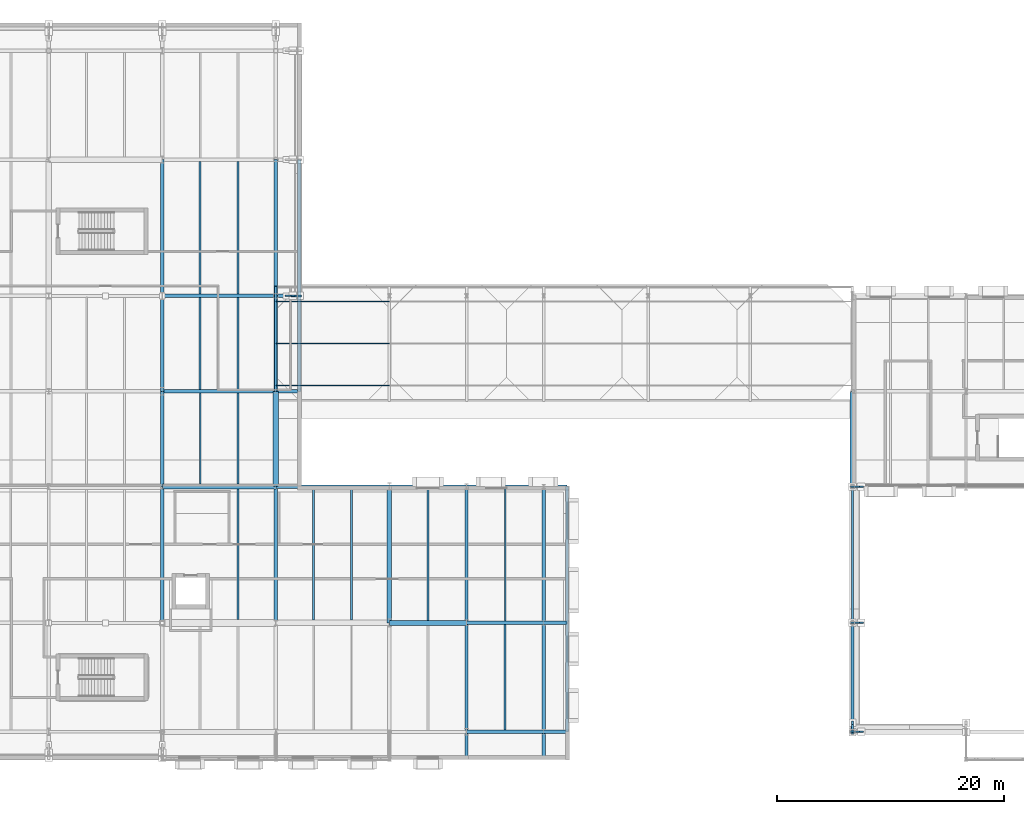
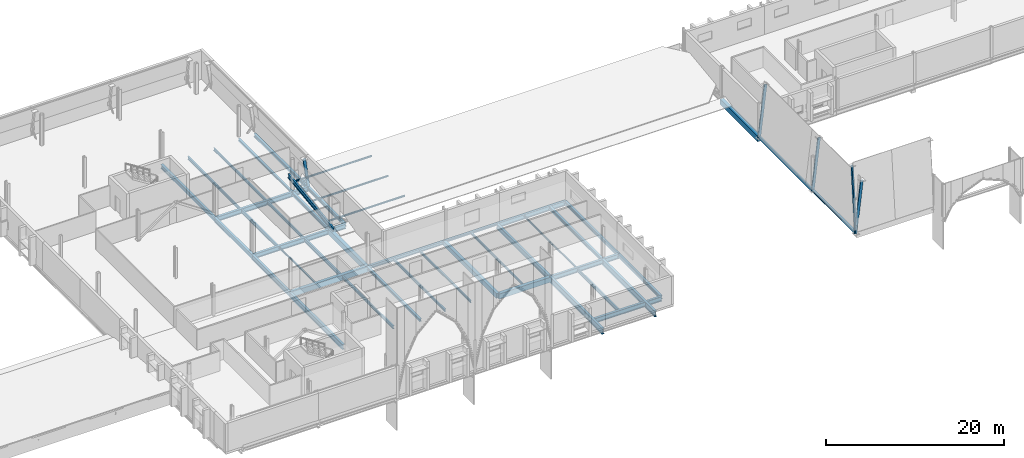
# One storey, part 37 of 90: 42 beams, 9 members.
"""IFC4 building model written with IfcOpenShell, lengths in metres."""

import ifcopenshell
import ifcopenshell.guid

model = None  # the IFC model being written
_history = None  # IfcOwnerHistory: only IFC2X3 demands one
_inside = {}  # id of a spatial element -> (the spatial element, [elements in it])
_under = {}  # id of a project, library or spatial element -> (it, [spatial elements below it])
_declared = {}  # id of a project -> (the project, [libraries it declares])
_typed = {}  # id of a type object -> (the type object, [elements of that type])
_made_of = {}  # id of a material, layer set ... -> (it, [elements and type objects made of it])


def new_model(schema):
    """Start an empty IFC model of exactly this schema.

    Asked for "IFC4X3", IfcOpenShell would pick the latest addendum, in which some entities
    have other attributes; the version numbers below select the first issue.
    IFC2X3 requires an IfcOwnerHistory on every rooted entity: one is made here for all.
    """
    global model, _history
    if schema == "IFC4X3":
        model = ifcopenshell.file(schema_version=(4, 3, 0, 0))
    else:
        model = ifcopenshell.file(schema=schema)
    _inside.clear()
    _under.clear()
    _declared.clear()
    _typed.clear()
    _made_of.clear()
    _history = None
    if model.schema == "IFC2X3":
        org = make("IfcOrganization", Name="unknown")
        user = make(
            "IfcPersonAndOrganization",
            ThePerson=make("IfcPerson", FamilyName="unknown"),
            TheOrganization=org,
        )
        app = make(
            "IfcApplication",
            ApplicationDeveloper=org,
            Version="unknown",
            ApplicationFullName="unknown",
            ApplicationIdentifier="unknown",
        )
        _history = make(
            "IfcOwnerHistory",
            OwningUser=user,
            OwningApplication=app,
            ChangeAction="ADDED",
            CreationDate=0,
        )
    return model


def make(cls, **values):
    """One entity of the class cls with the attributes given. An attribute that is None is left unset."""
    return model.create_entity(
        cls, **{name: value for name, value in values.items() if value is not None}
    )


def rooted(cls, **values):
    """An entity with a GlobalId (a new one), such as an element, a storey or a relation."""
    return make(cls, GlobalId=ifcopenshell.guid.new(), OwnerHistory=_history, **values)


def si_unit(unit_type, name, prefix=None):
    """IfcSIUnit, for example si_unit("LENGTHUNIT", "METRE", prefix="MILLI")."""
    return make("IfcSIUnit", UnitType=unit_type, Prefix=prefix, Name=name)


def assignment(units):
    """IfcUnitAssignment: the units of a project."""
    return None if units is None else make("IfcUnitAssignment", Units=units)


def point(xyz):
    """IfcCartesianPoint."""
    return None if xyz is None else make("IfcCartesianPoint", Coordinates=xyz)


def direction(xyz):
    """IfcDirection."""
    return None if xyz is None else make("IfcDirection", DirectionRatios=xyz)


def frame(location, z_axis=None, x_axis=None):
    """IfcAxis2Placement3D, a coordinate frame: its origin and axes. An axis left out is left unset."""
    return make(
        "IfcAxis2Placement3D",
        Location=point(location),
        Axis=direction(z_axis),
        RefDirection=direction(x_axis),
    )


def frame_2d(location, x_axis=None):
    """IfcAxis2Placement2D, a coordinate frame in the plane: its origin and x axis."""
    return make(
        "IfcAxis2Placement2D", Location=point(location), RefDirection=direction(x_axis)
    )


def origin():
    """The frame at (0, 0, 0) with its axes left unset."""
    return frame((0.0, 0.0, 0.0))


def origin_2d():
    """The frame at (0, 0) in the plane with its x axis left unset."""
    return frame_2d((0.0, 0.0))


def place(relative_to, where):
    """IfcLocalPlacement: puts the frame where relative to a parent placement (None: the world)."""
    return make(
        "IfcLocalPlacement", PlacementRelTo=relative_to, RelativePlacement=where
    )


def context(
    kind, dimensions, precision=None, world=None, true_north=None, identifier=None
):
    """IfcGeometricRepresentationContext, for example the 3D "Model" context."""
    return make(
        "IfcGeometricRepresentationContext",
        ContextIdentifier=identifier,
        ContextType=kind,
        CoordinateSpaceDimension=dimensions,
        Precision=precision,
        WorldCoordinateSystem=world,
        TrueNorth=true_north,
    )


def subcontext(parent, identifier, kind, view, scale=None):
    """IfcGeometricRepresentationSubContext, for example "Body" below "Model"."""
    return make(
        "IfcGeometricRepresentationSubContext",
        ContextIdentifier=identifier,
        ContextType=kind,
        ParentContext=parent,
        TargetScale=scale,
        TargetView=view,
    )


def project(units=None, contexts=None):
    """IfcProject with its units and contexts."""
    return rooted(
        "IfcProject",
        Name="project",
        RepresentationContexts=contexts,
        UnitsInContext=assignment(units),
    )


def spatial(cls, under=None, at=None, **own):
    """A site, building, storey or space (cls), placed at a placement, below another one or the project."""
    s = rooted(cls, ObjectPlacement=at, **own)
    if under is not None:
        _under.setdefault(under.id(), (under, []))[1].append(s)
    return s


def profile(cls, at=None, kind="AREA", **sizes):
    """A parametric profile (cls). Its sizes go by their IFC names, for example OverallWidth=200.0."""
    return make(cls, ProfileType=kind, Position=at, **sizes)


def rectangle(**sizes):
    """IfcRectangleProfileDef."""
    return profile("IfcRectangleProfileDef", **sizes)


def hollow_rectangle(**sizes):
    """IfcRectangleHollowProfileDef."""
    return profile("IfcRectangleHollowProfileDef", **sizes)


def i_section(**sizes):
    """IfcIShapeProfileDef."""
    return profile("IfcIShapeProfileDef", **sizes)


def extrude(swept, where, along, depth):
    """IfcExtrudedAreaSolid: the profile swept, set in the frame where, extruded along a direction by depth."""
    return make(
        "IfcExtrudedAreaSolid",
        SweptArea=swept,
        Position=where,
        ExtrudedDirection=direction(along),
        Depth=depth,
    )


def shape(context_of_items, identifier, shape_type, items):
    """IfcShapeRepresentation: the items that make up one representation, for example the "Body"."""
    return make(
        "IfcShapeRepresentation",
        ContextOfItems=context_of_items,
        RepresentationIdentifier=identifier,
        RepresentationType=shape_type,
        Items=items,
    )


def material(Name=None, Category=None):
    """IfcMaterial."""
    return make("IfcMaterial", Name=Name, Category=Category)


def material_profile(
    of_material, cross_section, Name=None, Category=None, Priority=None
):
    """IfcMaterialProfile: a cross section and its material."""
    return make(
        "IfcMaterialProfile",
        Name=Name,
        Material=of_material,
        Profile=cross_section,
        Priority=Priority,
        Category=Category,
    )


def profile_set(profiles, Name=None, composite=None):
    """IfcMaterialProfileSet."""
    return make(
        "IfcMaterialProfileSet",
        Name=Name,
        MaterialProfiles=profiles,
        CompositeProfile=composite,
    )


def made_of(thing, what):
    """Note that an element or type object is made of a material, layer set ...; save() writes the relation."""
    if what is not None:
        _made_of.setdefault(what.id(), (what, []))[1].append(thing)
    return thing


def type_object(cls, material=None, **own):
    """A type object (cls), such as IfcWallType, which elements share."""
    return made_of(rooted(cls, **own), material)


def element(
    cls,
    number,
    at=None,
    inside=None,
    cuts=None,
    type_object=None,
    material=None,
    context=None,
    identifier="Body",
    shape_type=None,
    held_by="IfcProductDefinitionShape",
    body=None,
    shapes=None,
    **own,
):
    """One element of the class cls, such as IfcWall. Its Tag is "e" and its number.

    at: its placement. inside: the storey or other place that contains it. cuts: it is an
    opening in that element (IfcRelVoidsElement). A single representation is given by context,
    identifier, shape_type and body (its items); several are given by shapes. held_by: the class
    of the entity that holds the representations. save() writes the other relations.
    """
    e = rooted(cls, Tag="e%d" % number, ObjectPlacement=at, **own)
    if body is not None:
        shapes = [shape(context, identifier, shape_type, body)]
    if shapes is not None:
        e.Representation = make(held_by, Representations=shapes)
    if inside is not None:
        _inside.setdefault(inside.id(), (inside, []))[1].append(e)
    if cuts is not None:
        rooted(
            "IfcRelVoidsElement", RelatingBuildingElement=cuts, RelatedOpeningElement=e
        )
    if type_object is not None:
        _typed.setdefault(type_object.id(), (type_object, []))[1].append(e)
    return made_of(e, material)


def aggregate(whole, parts):
    """IfcRelAggregates: a whole, such as a stair, and the parts it consists of."""
    return rooted("IfcRelAggregates", RelatingObject=whole, RelatedObjects=parts)


def save(model, path):
    """Write the relations noted so far, then the file.

    IfcRelAggregates (storeys below a building ...), IfcRelContainedInSpatialStructure (elements
    in a storey), IfcRelDefinesByType, IfcRelAssociatesMaterial and IfcRelDeclares: one each for
    every whole, place, type object, material and project.
    """
    for whole, parts in _under.values():
        aggregate(whole, parts)
    for where, things in _inside.values():
        rooted(
            "IfcRelContainedInSpatialStructure",
            RelatedElements=things,
            RelatingStructure=where,
        )
    for kind, things in _typed.values():
        rooted("IfcRelDefinesByType", RelatedObjects=things, RelatingType=kind)
    for what, things in _made_of.values():
        rooted("IfcRelAssociatesMaterial", RelatedObjects=things, RelatingMaterial=what)
    for by, libraries in _declared.values():
        rooted("IfcRelDeclares", RelatingContext=by, RelatedDefinitions=libraries)
    model.write(path)


model = new_model("IFC4")

# Units and contexts
model_context = context("Model", 3, precision=1e-05, world=origin(), true_north=direction((0.0, 1.0)))
body_context = subcontext(model_context, "Body", "Model", "MODEL_VIEW")
ifc_project = project(units=[si_unit("LENGTHUNIT", "METRE"), si_unit("AREAUNIT", "SQUARE_METRE"), si_unit("VOLUMEUNIT", "CUBIC_METRE"), si_unit("PLANEANGLEUNIT", "RADIAN"), si_unit("MASSUNIT", "GRAM", prefix="KILO")], contexts=[model_context])

# Site, building, storey
site_placement = place(None, origin())
site = spatial("IfcSite", under=ifc_project, at=site_placement, CompositionType="ELEMENT")
building_placement = place(site_placement, origin())
building = spatial("IfcBuilding", under=site, at=building_placement, Name="Zereglee Splitstone Museum", CompositionType="ELEMENT")
storey_placement = place(building_placement, frame((0.0, 0.0, 4.800048828125)))
storey = spatial("IfcBuildingStorey", under=building, at=storey_placement, Name="L01", CompositionType="ELEMENT", Elevation=4.800048828125)

# Beams
ifc_material_1 = material(Name="Concrete C40/50", Category="concrete")
ifc_material_profile_1 = material_profile(ifc_material_1, rectangle(XDim=0.39990234375, YDim=0.64990234375, at=origin_2d()), Name="RC 400x650")
ifc_profile_set_1 = profile_set([ifc_material_profile_1], Name="Concrete C40/50")
beam_type_1 = type_object("IfcBeamType", Name="BG-04", PredefinedType="BEAM", material=ifc_profile_set_1)
beam_1_placement = place(storey_placement, frame((215.199951171875, 9.60009765625, -0.625), z_axis=(0.0, 1.0, 0.0), x_axis=(-1.0, 0.0, 0.0)))
element("IfcBeam", 1, at=beam_1_placement, inside=storey, type_object=beam_type_1, Name="Primary Girder L01 24 (9.6-21.6)", PredefinedType="BEAM", context=body_context, shape_type="SweptSolid", body=[
    extrude(rectangle(XDim=0.39990234375, YDim=0.64990234375, at=origin_2d()), origin(), (0.0, 0.0, 1.0), 12.0),
])
ifc_material_profile_2 = material_profile(ifc_material_1, rectangle(XDim=0.449951171875, YDim=0.699951171875, at=origin_2d()), Name="RC 450x700")
ifc_profile_set_2 = profile_set([ifc_material_profile_2], Name="Concrete C40/50")
beam_type_2 = type_object("IfcBeamType", Name="BG-03", PredefinedType="BEAM", material=ifc_profile_set_2)
beam_2_placement = place(storey_placement, frame((215.199951171875, 9.60009765625, -0.650146484375), z_axis=(1.0, 0.0, 0.0), x_axis=(0.0, 1.0, 0.0)))
element("IfcBeam", 2, at=beam_2_placement, inside=storey, type_object=beam_type_2, Name="Primary Girder L01 B (215.2-222.0)", PredefinedType="BEAM", context=body_context, shape_type="SweptSolid", body=[
    extrude(rectangle(XDim=0.449951171875, YDim=0.699951171875, at=origin_2d()), origin(), (0.0, 0.0, 1.0), 6.800048828125),
])
beam_3_placement = place(storey_placement, frame((195.199951171875, 21.60009765625, -0.650146484375), z_axis=(1.0, 0.0, 0.0), x_axis=(0.0, 1.0, 0.0)))
element("IfcBeam", 3, at=beam_3_placement, inside=storey, type_object=beam_type_2, Name="Primary Girder L01 C (195.2-205.2)", PredefinedType="BEAM", context=body_context, shape_type="SweptSolid", body=[
    extrude(rectangle(XDim=0.449951171875, YDim=0.699951171875, at=origin_2d()), origin(), (0.0, 0.0, 1.0), 10.0),
])
ifc_material_2 = material(Name="Steel S355J2", Category="steel")
ifc_material_profile_3 = material_profile(ifc_material_2, i_section(OverallWidth=0.300048828125, OverallDepth=0.360107421875, WebThickness=0.012451171875, FlangeThickness=0.0224609375, FilletRadius=0.027099609375, at=origin_2d()), Name="HE 360 B")
ifc_profile_set_3 = profile_set([ifc_material_profile_3], Name="Steel S355J2")
beam_type_3 = type_object("IfcBeamType", Name="BG-14", PredefinedType="BEAM", material=ifc_profile_set_3)
beam_4_placement = place(storey_placement, frame((205.199951171875, 9.60009765625, -0.47998046875), z_axis=(0.0, 1.0, 0.0), x_axis=(-1.0, 0.0, 0.0)))
element("IfcBeam", 4, at=beam_4_placement, inside=storey, type_object=beam_type_3, Name="Primary Girder L01 23 (9.6-21.6)", PredefinedType="BEAM", context=body_context, shape_type="SweptSolid", body=[
    extrude(i_section(OverallWidth=0.300048828125, OverallDepth=0.360107421875, WebThickness=0.012451171875, FlangeThickness=0.0224609375, FilletRadius=0.027099609375, at=origin_2d()), origin(), (0.0, 0.0, 1.0), 12.0),
])
ifc_material_profile_4 = material_profile(ifc_material_2, i_section(OverallWidth=0.300048828125, OverallDepth=0.550048828125, WebThickness=0.014892578125, FlangeThickness=0.029052734375, FilletRadius=0.027099609375, at=origin_2d()), Name="HE 550 B")
ifc_profile_set_4 = profile_set([ifc_material_profile_4], Name="Steel S355J2")
beam_type_4 = type_object("IfcBeamType", Name="BG-11", PredefinedType="BEAM", material=ifc_profile_set_4)
beam_5_placement = place(storey_placement, frame((195.199951171875, 38.39990234375, -0.574951171875), z_axis=(0.0, 1.0, 0.0), x_axis=(-1.0, 0.0, 0.0)))
element("IfcBeam", 5, at=beam_5_placement, inside=storey, type_object=beam_type_4, Name="Primary Girder L01 22 (38.4-50.4)", PredefinedType="BEAM", context=body_context, shape_type="SweptSolid", body=[
    extrude(i_section(OverallWidth=0.300048828125, OverallDepth=0.550048828125, WebThickness=0.014892578125, FlangeThickness=0.029052734375, FilletRadius=0.027099609375, at=origin_2d()), origin(), (0.0, 0.0, 1.0), 12.0),
])
ifc_material_profile_5 = material_profile(ifc_material_2, i_section(OverallWidth=0.300048828125, OverallDepth=0.60009765625, WebThickness=0.015380859375, FlangeThickness=0.030029296875, FilletRadius=0.027099609375, at=origin_2d()), Name="HE 600 B")
ifc_profile_set_5 = profile_set([ifc_material_profile_5], Name="Steel S355J2")
beam_type_5 = type_object("IfcBeamType", Name="BG-10", PredefinedType="BEAM", material=ifc_profile_set_5)
beam_6_placement = place(storey_placement, frame((195.199951171875, 30.0, -0.60009765625), z_axis=(0.0, 1.0, 0.0), x_axis=(-1.0, 0.0, 0.0)))
element("IfcBeam", 6, at=beam_6_placement, inside=storey, type_object=beam_type_5, Name="Primary Girder L01 22 (30.0-38.4)", PredefinedType="BEAM", context=body_context, shape_type="SweptSolid", body=[
    extrude(i_section(OverallWidth=0.300048828125, OverallDepth=0.60009765625, WebThickness=0.015380859375, FlangeThickness=0.030029296875, FilletRadius=0.027099609375, at=origin_2d()), origin(), (0.0, 0.0, 1.0), 8.39990234375),
])
ifc_material_profile_6 = material_profile(ifc_material_2, i_section(OverallWidth=0.300048828125, OverallDepth=0.64990234375, WebThickness=0.01611328125, FlangeThickness=0.031005859375, FilletRadius=0.027099609375, at=origin_2d()), Name="HE 650 B")
ifc_profile_set_6 = profile_set([ifc_material_profile_6], Name="Steel S355J2")
beam_type_6 = type_object("IfcBeamType", Name="BG-09", PredefinedType="BEAM", material=ifc_profile_set_6)
for number, where, z_axis, x_axis, name in (
    (7, (222.0, 0.0, -0.625), (1.0, 0.0, 0.0), (0.0, 1.0, 0.0), "Primary Girder L01 A (222.0-230.8)"),
    (8, (222.0, 9.60009765625, -0.625), (1.0, 0.0, 0.0), (0.0, 1.0, 0.0), "Primary Girder L01 B (222.0-230.8)"),
    (9, (222.0, 21.60009765625, -0.625), (1.0, 0.0, 0.0), (0.0, 1.0, 0.0), "Primary Girder L01 C (222.0-230.8)"),
):
    element("IfcBeam", number, at=place(storey_placement, frame(where, z_axis=z_axis, x_axis=x_axis)), inside=storey, type_object=beam_type_6, Name=name, PredefinedType="BEAM", context=body_context, shape_type="SweptSolid", body=[
        extrude(i_section(OverallWidth=0.300048828125, OverallDepth=0.64990234375, WebThickness=0.01611328125, FlangeThickness=0.031005859375, FilletRadius=0.027099609375, at=origin_2d()), origin(), (0.0, 0.0, 1.0), 8.85009765625),
    ])
for number, where, z_axis, x_axis, name in (
    (10, (195.199951171875, 30.0, -0.625), (1.0, 0.0, 0.0), (0.0, 1.0, 0.0), "Primary Girder L01 D (195.2-207.2)"),
    (11, (195.199951171875, 38.39990234375, -0.625), (1.0, 0.0, 0.0), (0.0, 1.0, 0.0), "Primary Girder L01 E (195.2-207.2)"),
):
    element("IfcBeam", number, at=place(storey_placement, frame(where, z_axis=z_axis, x_axis=x_axis)), inside=storey, type_object=beam_type_6, Name=name, PredefinedType="BEAM", context=body_context, shape_type="SweptSolid", body=[
        extrude(i_section(OverallWidth=0.300048828125, OverallDepth=0.64990234375, WebThickness=0.01611328125, FlangeThickness=0.031005859375, FilletRadius=0.027099609375, at=origin_2d()), origin(), (0.0, 0.0, 1.0), 12.050048828125),
    ])
beam_7_placement = place(storey_placement, frame((195.199951171875, 21.60009765625, -0.625), z_axis=(0.0, 1.0, 0.0), x_axis=(-1.0, 0.0, 0.0)))
element("IfcBeam", 12, at=beam_7_placement, inside=storey, type_object=beam_type_6, Name="Primary Girder L01 22 (21.6-30.0)", PredefinedType="BEAM", context=body_context, shape_type="SweptSolid", body=[
    extrude(i_section(OverallWidth=0.300048828125, OverallDepth=0.64990234375, WebThickness=0.01611328125, FlangeThickness=0.031005859375, FilletRadius=0.027099609375, at=origin_2d()), origin(), (0.0, 0.0, 1.0), 8.39990234375),
])
ifc_material_profile_7 = material_profile(ifc_material_2, i_section(OverallWidth=0.300048828125, OverallDepth=0.699951171875, WebThickness=0.01708984375, FlangeThickness=0.031982421875, FilletRadius=0.027099609375, at=origin_2d()), Name="HE 700 B")
ifc_profile_set_7 = profile_set([ifc_material_profile_7], Name="Steel S355J2")
beam_type_7 = type_object("IfcBeamType", Name="BG-08", PredefinedType="BEAM", material=ifc_profile_set_7)
for number, where, z_axis, x_axis, name in (
    (13, (195.199951171875, 9.60009765625, -0.650146484375), (0.0, 1.0, 0.0), (-1.0, 0.0, 0.0), "Primary Girder L01 22 (9.6-21.6)"),
    (14, (222.0, 9.60009765625, -0.650146484375), (0.0, 1.0, 0.0), (-1.0, 0.0, 0.0), "Primary Girder L01 25 (9.6-21.6)"),
):
    element("IfcBeam", number, at=place(storey_placement, frame(where, z_axis=z_axis, x_axis=x_axis)), inside=storey, type_object=beam_type_7, Name=name, PredefinedType="BEAM", context=body_context, shape_type="SweptSolid", body=[
        extrude(i_section(OverallWidth=0.300048828125, OverallDepth=0.699951171875, WebThickness=0.01708984375, FlangeThickness=0.031982421875, FilletRadius=0.027099609375, at=origin_2d()), origin(), (0.0, 0.0, 1.0), 12.0),
    ])
ifc_material_profile_8 = material_profile(ifc_material_2, i_section(OverallWidth=0.300048828125, OverallDepth=0.800048828125, WebThickness=0.017578125, FlangeThickness=0.032958984375, FilletRadius=0.030029296875, at=origin_2d()), Name="HE 800 B")
ifc_profile_set_8 = profile_set([ifc_material_profile_8], Name="Steel S355J2")
beam_type_8 = type_object("IfcBeamType", Name="BG-07", PredefinedType="BEAM", material=ifc_profile_set_8)
for number, where, z_axis, x_axis, name in (
    (15, (222.0, -2.25, -0.699951171875), (0.0, 1.0, 0.0), (-1.0, 0.0, 0.0), "Primary Girder L01 25 (-2.2-9.6)"),
    (16, (228.800048828125, -2.25, -0.699951171875), (0.0, 1.0, 0.0), (-1.0, 0.0, 0.0), "Primary Girder L01 26 (-2.2-9.6)"),
):
    element("IfcBeam", number, at=place(storey_placement, frame(where, z_axis=z_axis, x_axis=x_axis)), inside=storey, type_object=beam_type_8, Name=name, PredefinedType="BEAM", context=body_context, shape_type="SweptSolid", body=[
        extrude(i_section(OverallWidth=0.300048828125, OverallDepth=0.800048828125, WebThickness=0.017578125, FlangeThickness=0.032958984375, FilletRadius=0.030029296875, at=origin_2d()), origin(), (0.0, 0.0, 1.0), 11.85009765625),
    ])
ifc_material_profile_9 = material_profile(ifc_material_2, i_section(OverallWidth=0.1201171875, OverallDepth=0.239990234375, WebThickness=0.006103515625, FlangeThickness=0.009765625, FilletRadius=0.014892578125, at=origin_2d()), Name="IPE 240")
ifc_profile_set_9 = profile_set([ifc_material_profile_9], Name="Steel S355J2")
beam_type_9 = type_object("IfcBeamType", Name="BJ-07", PredefinedType="JOIST", material=ifc_profile_set_9)
beam_8_placement = place(storey_placement, frame((225.39990234375, 9.75, -0.420166015625), z_axis=(0.0, 1.0, 0.0), x_axis=(-1.0, 0.0, 0.0)))
element("IfcBeam", 17, at=beam_8_placement, inside=storey, type_object=beam_type_9, Name="Secondary Floor Joist L01-0727", PredefinedType="JOIST", context=body_context, shape_type="SweptSolid", body=[
    extrude(i_section(OverallWidth=0.1201171875, OverallDepth=0.239990234375, WebThickness=0.006103515625, FlangeThickness=0.009765625, FilletRadius=0.014892578125, at=origin_2d()), origin(), (0.0, 0.0, 1.0), 11.699951171875),
])
beam_9_placement = place(storey_placement, frame((198.533203125, 21.824951171875, -0.420166015625), z_axis=(0.0, 1.0, 0.0), x_axis=(-1.0, 0.0, 0.0)))
element("IfcBeam", 18, at=beam_9_placement, inside=storey, type_object=beam_type_9, Name="Secondary Floor Joist L01-0748", PredefinedType="JOIST", context=body_context, shape_type="SweptSolid", body=[
    extrude(i_section(OverallWidth=0.1201171875, OverallDepth=0.239990234375, WebThickness=0.006103515625, FlangeThickness=0.009765625, FilletRadius=0.014892578125, at=origin_2d()), origin(), (0.0, 0.0, 1.0), 8.025146484375),
])
ifc_material_profile_10 = material_profile(ifc_material_2, i_section(OverallWidth=0.14990234375, OverallDepth=0.300048828125, WebThickness=0.007080078125, FlangeThickness=0.0107421875, FilletRadius=0.014892578125, at=origin_2d()), Name="IPE 300")
ifc_profile_set_10 = profile_set([ifc_material_profile_10], Name="Steel S355J2")
beam_type_10 = type_object("IfcBeamType", Name="BJ-06", PredefinedType="JOIST", material=ifc_profile_set_10)
beam_10_placement = place(storey_placement, frame((218.60009765625, 9.824951171875, -0.449951171875), z_axis=(0.0, 1.0, 0.0), x_axis=(-1.0, 0.0, 0.0)))
element("IfcBeam", 19, at=beam_10_placement, inside=storey, type_object=beam_type_10, Name="Secondary Floor Joist L01-0726", PredefinedType="JOIST", context=body_context, shape_type="SweptSolid", body=[
    extrude(i_section(OverallWidth=0.14990234375, OverallDepth=0.300048828125, WebThickness=0.007080078125, FlangeThickness=0.0107421875, FilletRadius=0.014892578125, at=origin_2d()), origin(), (0.0, 0.0, 1.0), 11.635009765625),
])
ifc_material_profile_11 = material_profile(ifc_material_2, i_section(OverallWidth=0.159912109375, OverallDepth=0.330078125, WebThickness=0.007568359375, FlangeThickness=0.011474609375, FilletRadius=0.01806640625, at=origin_2d()), Name="IPE 330")
ifc_profile_set_11 = profile_set([ifc_material_profile_11], Name="Steel S355J2")
beam_type_11 = type_object("IfcBeamType", Name="BJ-05", PredefinedType="JOIST", material=ifc_profile_set_11)
beam_11_placement = place(storey_placement, frame((211.86669921875, 9.85009765625, -0.465087890625), z_axis=(0.0, 1.0, 0.0), x_axis=(-1.0, 0.0, 0.0)))
element("IfcBeam", 20, at=beam_11_placement, inside=storey, type_object=beam_type_11, Name="Secondary Floor Joist L01-0725", PredefinedType="JOIST", context=body_context, shape_type="SweptSolid", body=[
    extrude(i_section(OverallWidth=0.159912109375, OverallDepth=0.330078125, WebThickness=0.007568359375, FlangeThickness=0.011474609375, FilletRadius=0.01806640625, at=origin_2d()), origin(), (0.0, 0.0, 1.0), 11.599853515625),
])
ifc_material_profile_12 = material_profile(ifc_material_2, i_section(OverallWidth=0.169921875, OverallDepth=0.360107421875, WebThickness=0.008056640625, FlangeThickness=0.0126953125, FilletRadius=0.01806640625, at=origin_2d()), Name="IPE 360")
ifc_profile_set_12 = profile_set([ifc_material_profile_12], Name="Steel S355J2")
beam_type_12 = type_object("IfcBeamType", Name="BJ-04", PredefinedType="JOIST", material=ifc_profile_set_12)
beam_12_placement = place(storey_placement, frame((208.533203125, 9.85009765625, -0.47998046875), z_axis=(0.0, 1.0, 0.0), x_axis=(-1.0, 0.0, 0.0)))
element("IfcBeam", 21, at=beam_12_placement, inside=storey, type_object=beam_type_12, Name="Secondary Floor Joist L01-0724", PredefinedType="JOIST", context=body_context, shape_type="SweptSolid", body=[
    extrude(i_section(OverallWidth=0.169921875, OverallDepth=0.360107421875, WebThickness=0.008056640625, FlangeThickness=0.0126953125, FilletRadius=0.01806640625, at=origin_2d()), origin(), (0.0, 0.0, 1.0), 11.599853515625),
])
beam_13_placement = place(storey_placement, frame((201.86669921875, 38.550048828125, -0.47998046875), z_axis=(0.0, 1.0, 0.0), x_axis=(-1.0, 0.0, 0.0)))
element("IfcBeam", 22, at=beam_13_placement, inside=storey, type_object=beam_type_12, Name="Secondary Floor Joist L01-0808", PredefinedType="JOIST", context=body_context, shape_type="SweptSolid", body=[
    extrude(i_section(OverallWidth=0.169921875, OverallDepth=0.360107421875, WebThickness=0.008056640625, FlangeThickness=0.0126953125, FilletRadius=0.01806640625, at=origin_2d()), origin(), (0.0, 0.0, 1.0), 11.699951171875),
])
ifc_material_profile_13 = material_profile(ifc_material_2, i_section(OverallWidth=0.179931640625, OverallDepth=0.39990234375, WebThickness=0.008544921875, FlangeThickness=0.013427734375, FilletRadius=0.02099609375, at=origin_2d()), Name="IPE 400")
ifc_profile_set_13 = profile_set([ifc_material_profile_13], Name="Steel S355J2")
beam_type_13 = type_object("IfcBeamType", Name="BJ-03", PredefinedType="JOIST", material=ifc_profile_set_13)
beam_14_placement = place(storey_placement, frame((201.86669921875, 9.89990234375, -0.5), z_axis=(0.0, 1.0, 0.0), x_axis=(-1.0, 0.0, 0.0)))
element("IfcBeam", 23, at=beam_14_placement, inside=storey, type_object=beam_type_13, Name="Secondary Floor Joist L01-0723", PredefinedType="JOIST", context=body_context, shape_type="SweptSolid", body=[
    extrude(i_section(OverallWidth=0.179931640625, OverallDepth=0.39990234375, WebThickness=0.008544921875, FlangeThickness=0.013427734375, FilletRadius=0.02099609375, at=origin_2d()), origin(), (0.0, 0.0, 1.0), 11.47509765625),
])
beam_15_placement = place(storey_placement, frame((201.86669921875, 30.14990234375, -0.5), z_axis=(0.0, 1.0, 0.0), x_axis=(-1.0, 0.0, 0.0)))
element("IfcBeam", 24, at=beam_15_placement, inside=storey, type_object=beam_type_13, Name="Secondary Floor Joist L01-0779", PredefinedType="JOIST", context=body_context, shape_type="SweptSolid", body=[
    extrude(i_section(OverallWidth=0.179931640625, OverallDepth=0.39990234375, WebThickness=0.008544921875, FlangeThickness=0.013427734375, FilletRadius=0.02099609375, at=origin_2d()), origin(), (0.0, 0.0, 1.0), 8.10009765625),
])
beam_16_placement = place(storey_placement, frame((198.533203125, 38.550048828125, -0.5), z_axis=(0.0, 1.0, 0.0), x_axis=(-1.0, 0.0, 0.0)))
element("IfcBeam", 25, at=beam_16_placement, inside=storey, type_object=beam_type_13, Name="Secondary Floor Joist L01-0807", PredefinedType="JOIST", context=body_context, shape_type="SweptSolid", body=[
    extrude(i_section(OverallWidth=0.179931640625, OverallDepth=0.39990234375, WebThickness=0.008544921875, FlangeThickness=0.013427734375, FilletRadius=0.02099609375, at=origin_2d()), origin(), (0.0, 0.0, 1.0), 11.699951171875),
])
ifc_material_profile_14 = material_profile(ifc_material_2, i_section(OverallWidth=0.18994140625, OverallDepth=0.449951171875, WebThickness=0.009521484375, FlangeThickness=0.0146484375, FilletRadius=0.02099609375, at=origin_2d()), Name="IPE 450")
ifc_profile_set_14 = profile_set([ifc_material_profile_14], Name="Steel S355J2")
beam_type_14 = type_object("IfcBeamType", Name="BJ-02", PredefinedType="JOIST", material=ifc_profile_set_14)
beam_17_placement = place(storey_placement, frame((225.39990234375, 0.14990234375, -0.525146484375), z_axis=(0.0, 1.0, 0.0), x_axis=(-1.0, 0.0, 0.0)))
element("IfcBeam", 26, at=beam_17_placement, inside=storey, type_object=beam_type_14, Name="Secondary Floor Joist L01-0701", PredefinedType="JOIST", context=body_context, shape_type="SweptSolid", body=[
    extrude(i_section(OverallWidth=0.18994140625, OverallDepth=0.449951171875, WebThickness=0.009521484375, FlangeThickness=0.0146484375, FilletRadius=0.02099609375, at=origin_2d()), origin(), (0.0, 0.0, 1.0), 9.300048828125),
])
beam_18_placement = place(storey_placement, frame((198.533203125, 30.14990234375, -0.525146484375), z_axis=(0.0, 1.0, 0.0), x_axis=(-1.0, 0.0, 0.0)))
element("IfcBeam", 27, at=beam_18_placement, inside=storey, type_object=beam_type_14, Name="Secondary Floor Joist L01-0778", PredefinedType="JOIST", context=body_context, shape_type="SweptSolid", body=[
    extrude(i_section(OverallWidth=0.18994140625, OverallDepth=0.449951171875, WebThickness=0.009521484375, FlangeThickness=0.0146484375, FilletRadius=0.02099609375, at=origin_2d()), origin(), (0.0, 0.0, 1.0), 8.10009765625),
])
ifc_material_profile_15 = material_profile(ifc_material_2, i_section(OverallWidth=0.199951171875, OverallDepth=0.5, WebThickness=0.01025390625, FlangeThickness=0.01611328125, FilletRadius=0.02099609375, at=origin_2d()), Name="IPE 500")
ifc_profile_set_15 = profile_set([ifc_material_profile_15], Name="Steel S355J2")
beam_type_15 = type_object("IfcBeamType", Name="BJ-01", PredefinedType="JOIST", material=ifc_profile_set_15)
beam_19_placement = place(storey_placement, frame((201.86669921875, 21.824951171875, -0.550048828125), z_axis=(0.0, 1.0, 0.0), x_axis=(-1.0, 0.0, 0.0)))
element("IfcBeam", 28, at=beam_19_placement, inside=storey, type_object=beam_type_15, Name="Secondary Floor Joist L01-0749", PredefinedType="JOIST", context=body_context, shape_type="SweptSolid", body=[
    extrude(i_section(OverallWidth=0.199951171875, OverallDepth=0.5, WebThickness=0.01025390625, FlangeThickness=0.01611328125, FilletRadius=0.02099609375, at=origin_2d()), origin(), (0.0, 0.0, 1.0), 8.025146484375),
])

# Members
ifc_material_profile_16 = material_profile(ifc_material_2, i_section(OverallWidth=0.110107421875, OverallDepth=0.219970703125, WebThickness=0.005859375, FlangeThickness=0.00927734375, FilletRadius=0.011962890625, at=origin_2d()), Name="IPE 220")
ifc_profile_set_16 = profile_set([ifc_material_profile_16], Name="Steel S355J2")
member_type_1 = type_object("IfcMemberType", Name="PR-04", PredefinedType="PURLIN", material=ifc_profile_set_16)
for number, where, z_axis, x_axis, name in (
    (29, (205.199951171875, 30.5, 0.399658203125), (1.0, 0.0, 0.0), (0.0, 1.0, 0.0), "Roof Purlin RF-L3 (205.2-215.2)"),
    (30, (205.199951171875, 34.199951171875, 0.883544921875), (1.0, 0.0, 0.0), (0.0, 1.0, 0.0), "Roof Purlin RF-L3 (205.2-215.2)"),
    (31, (205.199951171875, 37.89990234375, 1.367431640625), (1.0, 0.0, 0.0), (0.0, 1.0, 0.0), "Roof Purlin RF-L3 (205.2-215.2)"),
):
    element("IfcMember", number, at=place(storey_placement, frame(where, z_axis=z_axis, x_axis=x_axis)), inside=storey, type_object=member_type_1, Name=name, PredefinedType="PURLIN", context=body_context, shape_type="SweptSolid", body=[
        extrude(i_section(OverallWidth=0.110107421875, OverallDepth=0.219970703125, WebThickness=0.005859375, FlangeThickness=0.00927734375, FilletRadius=0.011962890625, at=origin_2d()), origin(), (0.0, 0.0, 1.0), 10.0),
    ])

# Beams
ifc_material_profile_17 = material_profile(ifc_material_2, i_section(OverallWidth=0.219970703125, OverallDepth=0.60009765625, WebThickness=0.011962890625, FlangeThickness=0.01904296875, FilletRadius=0.02392578125, at=origin_2d()), Name="IPE 600")
ifc_profile_set_17 = profile_set([ifc_material_profile_17], Name="Steel S355J2")
beam_type_16 = type_object("IfcBeamType", Name="RR-01", PredefinedType="BEAM", material=ifc_profile_set_17)
beam_20_placement = place(storey_placement, frame((205.199951171875, 29.14990234375, 0.03564453125), z_axis=(0.0, 0.991557588735, 0.129667066837), x_axis=(-1.0, 0.0, 0.0)))
element("IfcBeam", 32, at=beam_20_placement, inside=storey, type_object=beam_type_16, Name="Sloped Roof Girder RF-L3 X=205.2 (29.1-39.2)", PredefinedType="BEAM", context=body_context, shape_type="SweptSolid", body=[
    extrude(i_section(OverallWidth=0.219970703125, OverallDepth=0.60009765625, WebThickness=0.011962890625, FlangeThickness=0.01904296875, FilletRadius=0.02392578125, at=origin_2d()), origin(), (0.0, 0.0, 1.0), 10.18603515625),
])
ifc_material_profile_18 = material_profile(ifc_material_2, i_section(OverallWidth=0.280029296875, OverallDepth=0.280029296875, WebThickness=0.010498046875, FlangeThickness=0.01806640625, FilletRadius=0.02392578125, at=origin_2d()), Name="HE 280 B")
ifc_profile_set_18 = profile_set([ifc_material_profile_18], Name="Steel S355J2")
beam_type_17 = type_object("IfcBeamType", Name="SP-03", PredefinedType="SPANDREL", material=ifc_profile_set_18)
beam_21_placement = place(storey_placement, frame((215.199951171875, 21.60009765625, -0.43994140625), z_axis=(1.0, 0.0, 0.0), x_axis=(0.0, 1.0, 0.0)))
element("IfcBeam", 33, at=beam_21_placement, inside=storey, type_object=beam_type_17, Name="Primary Girder L01 C (215.2-222.0)", PredefinedType="SPANDREL", context=body_context, shape_type="SweptSolid", body=[
    extrude(i_section(OverallWidth=0.280029296875, OverallDepth=0.280029296875, WebThickness=0.010498046875, FlangeThickness=0.01806640625, FilletRadius=0.02392578125, at=origin_2d()), origin(), (0.0, 0.0, 1.0), 6.800048828125),
])
beam_22_placement = place(storey_placement, frame((205.199951171875, 38.39990234375, -0.43994140625), z_axis=(0.0, 1.0, 0.0), x_axis=(-1.0, 0.0, 0.0)))
element("IfcBeam", 34, at=beam_22_placement, inside=storey, type_object=beam_type_17, Name="Primary Girder L01 23 (38.4-50.4)", PredefinedType="SPANDREL", context=body_context, shape_type="SweptSolid", body=[
    extrude(i_section(OverallWidth=0.280029296875, OverallDepth=0.280029296875, WebThickness=0.010498046875, FlangeThickness=0.01806640625, FilletRadius=0.02392578125, at=origin_2d()), origin(), (0.0, 0.0, 1.0), 12.0),
])
beam_23_placement = place(storey_placement, frame((256.0, 0.0, -0.43994140625), z_axis=(0.0, 1.0, 0.0), x_axis=(-1.0, 0.0, 0.0)))
element("IfcBeam", 35, at=beam_23_placement, inside=storey, type_object=beam_type_17, Name="Primary Girder L01 29 (0.0-9.6)", PredefinedType="SPANDREL", context=body_context, shape_type="SweptSolid", body=[
    extrude(i_section(OverallWidth=0.280029296875, OverallDepth=0.280029296875, WebThickness=0.010498046875, FlangeThickness=0.01806640625, FilletRadius=0.02392578125, at=origin_2d()), origin(), (0.0, 0.0, 1.0), 9.60009765625),
])
ifc_material_profile_19 = material_profile(ifc_material_2, i_section(OverallWidth=0.300048828125, OverallDepth=0.449951171875, WebThickness=0.013916015625, FlangeThickness=0.02587890625, FilletRadius=0.027099609375, at=origin_2d()), Name="HE 450 B")
ifc_profile_set_19 = profile_set([ifc_material_profile_19], Name="Steel S355J2")
beam_type_18 = type_object("IfcBeamType", Name="SP-02", PredefinedType="SPANDREL", material=ifc_profile_set_19)
beam_24_placement = place(storey_placement, frame((205.199951171875, 21.60009765625, -0.525146484375), z_axis=(1.0, 0.0, 0.0), x_axis=(0.0, 1.0, 0.0)))
element("IfcBeam", 36, at=beam_24_placement, inside=storey, type_object=beam_type_18, Name="Primary Girder L01 C (205.2-215.2)", PredefinedType="SPANDREL", context=body_context, shape_type="SweptSolid", body=[
    extrude(i_section(OverallWidth=0.300048828125, OverallDepth=0.449951171875, WebThickness=0.013916015625, FlangeThickness=0.02587890625, FilletRadius=0.027099609375, at=origin_2d()), origin(), (0.0, 0.0, 1.0), 10.0),
])
beam_25_placement = place(storey_placement, frame((205.199951171875, 30.0, -0.525146484375), z_axis=(0.0, 1.0, 0.0), x_axis=(-1.0, 0.0, 0.0)))
element("IfcBeam", 37, at=beam_25_placement, inside=storey, type_object=beam_type_18, Name="Primary Girder L01 23 (30.0-38.4)", PredefinedType="SPANDREL", context=body_context, shape_type="SweptSolid", body=[
    extrude(i_section(OverallWidth=0.300048828125, OverallDepth=0.449951171875, WebThickness=0.013916015625, FlangeThickness=0.02587890625, FilletRadius=0.027099609375, at=origin_2d()), origin(), (0.0, 0.0, 1.0), 8.39990234375),
])
beam_26_placement = place(storey_placement, frame((228.800048828125, 9.60009765625, -0.525146484375), z_axis=(0.0, 1.0, 0.0), x_axis=(-1.0, 0.0, 0.0)))
element("IfcBeam", 38, at=beam_26_placement, inside=storey, type_object=beam_type_18, Name="Primary Girder L01 26 (9.6-21.6)", PredefinedType="SPANDREL", context=body_context, shape_type="SweptSolid", body=[
    extrude(i_section(OverallWidth=0.300048828125, OverallDepth=0.449951171875, WebThickness=0.013916015625, FlangeThickness=0.02587890625, FilletRadius=0.027099609375, at=origin_2d()), origin(), (0.0, 0.0, 1.0), 12.0),
])
beam_27_placement = place(storey_placement, frame((230.85009765625, 0.0, -0.525146484375), z_axis=(0.0, 1.0, 0.0), x_axis=(-1.0, 0.0, 0.0)))
element("IfcBeam", 39, at=beam_27_placement, inside=storey, type_object=beam_type_18, Name="Hovering Soffit Spandrel L01 Y=(0.0-9.6)", PredefinedType="SPANDREL", context=body_context, shape_type="SweptSolid", body=[
    extrude(i_section(OverallWidth=0.300048828125, OverallDepth=0.449951171875, WebThickness=0.013916015625, FlangeThickness=0.02587890625, FilletRadius=0.027099609375, at=origin_2d()), origin(), (0.0, 0.0, 1.0), 9.60009765625),
])
beam_28_placement = place(storey_placement, frame((230.85009765625, 9.60009765625, -0.525146484375), z_axis=(0.0, 1.0, 0.0), x_axis=(-1.0, 0.0, 0.0)))
element("IfcBeam", 40, at=beam_28_placement, inside=storey, type_object=beam_type_18, Name="Hovering Soffit Spandrel L01 Y=(9.6-21.6)", PredefinedType="SPANDREL", context=body_context, shape_type="SweptSolid", body=[
    extrude(i_section(OverallWidth=0.300048828125, OverallDepth=0.449951171875, WebThickness=0.013916015625, FlangeThickness=0.02587890625, FilletRadius=0.027099609375, at=origin_2d()), origin(), (0.0, 0.0, 1.0), 12.0),
])
beam_29_placement = place(storey_placement, frame((207.25, 30.0, -0.525146484375), z_axis=(0.0, 1.0, 0.0), x_axis=(-1.0, 0.0, 0.0)))
element("IfcBeam", 41, at=beam_29_placement, inside=storey, type_object=beam_type_18, Name="Hovering Soffit Spandrel L01 Y=(30.0-38.4)", PredefinedType="SPANDREL", context=body_context, shape_type="SweptSolid", body=[
    extrude(i_section(OverallWidth=0.300048828125, OverallDepth=0.449951171875, WebThickness=0.013916015625, FlangeThickness=0.02587890625, FilletRadius=0.027099609375, at=origin_2d()), origin(), (0.0, 0.0, 1.0), 8.39990234375),
])
beam_30_placement = place(storey_placement, frame((207.25, 38.39990234375, -0.525146484375), z_axis=(0.0, 1.0, 0.0), x_axis=(-1.0, 0.0, 0.0)))
element("IfcBeam", 42, at=beam_30_placement, inside=storey, type_object=beam_type_18, Name="Hovering Soffit Spandrel L01 Y=(38.4-50.4)", PredefinedType="SPANDREL", context=body_context, shape_type="SweptSolid", body=[
    extrude(i_section(OverallWidth=0.300048828125, OverallDepth=0.449951171875, WebThickness=0.013916015625, FlangeThickness=0.02587890625, FilletRadius=0.027099609375, at=origin_2d()), origin(), (0.0, 0.0, 1.0), 12.0),
])
ifc_material_profile_20 = material_profile(ifc_material_1, rectangle(XDim=0.449951171875, YDim=0.75, at=origin_2d()), Name="RC 450x750")
ifc_profile_set_20 = profile_set([ifc_material_profile_20], Name="Concrete C40/50")
beam_type_19 = type_object("IfcBeamType", Name="SP-01", PredefinedType="SPANDREL", material=ifc_profile_set_20)
for number, where, z_axis, x_axis, name in (
    (43, (205.199951171875, 21.60009765625, -0.675048828125), (0.0, 1.0, 0.0), (-1.0, 0.0, 0.0), "Primary Girder L01 23 (21.6-30.0)"),
    (44, (256.0, 21.60009765625, -0.675048828125), (0.0, 1.0, 0.0), (-1.0, 0.0, 0.0), "Primary Girder L01 29 (21.6-30.0)"),
):
    element("IfcBeam", number, at=place(storey_placement, frame(where, z_axis=z_axis, x_axis=x_axis)), inside=storey, type_object=beam_type_19, Name=name, PredefinedType="SPANDREL", context=body_context, shape_type="SweptSolid", body=[
        extrude(rectangle(XDim=0.449951171875, YDim=0.75, at=origin_2d()), origin(), (0.0, 0.0, 1.0), 8.39990234375),
    ])
ifc_material_3 = material(Name="Steel S355J2H", Category="steel")
ifc_material_profile_21 = material_profile(ifc_material_3, hollow_rectangle(XDim=0.199951171875, YDim=0.39990234375, WallThickness=0.01611328125, at=origin_2d()), Name="RHS 400x200x16")
ifc_profile_set_21 = profile_set([ifc_material_profile_21], Name="Steel S355J2H")
beam_type_20 = type_object("IfcBeamType", Name="SP-04", PredefinedType="SPANDREL", material=ifc_profile_set_21)
beam_31_placement = place(storey_placement, frame((256.0, 9.60009765625, -0.5), z_axis=(0.0, 1.0, 0.0), x_axis=(-1.0, 0.0, 0.0)))
element("IfcBeam", 45, at=beam_31_placement, inside=storey, type_object=beam_type_20, Name="Primary Girder L01 29 (9.6-21.6)", PredefinedType="SPANDREL", context=body_context, shape_type="SweptSolid", body=[
    extrude(hollow_rectangle(XDim=0.199951171875, YDim=0.39990234375, WallThickness=0.01611328125, at=origin_2d()), origin(), (0.0, 0.0, 1.0), 12.0),
])

# Members
ifc_material_profile_22 = material_profile(ifc_material_3, hollow_rectangle(XDim=0.199951171875, YDim=0.300048828125, WallThickness=0.012451171875, at=origin_2d()), Name="RHS 300x200x12.5")
ifc_profile_set_22 = profile_set([ifc_material_profile_22], Name="Steel S355J2H")
member_type_2 = type_object("IfcMemberType", Name="FS-R1", PredefinedType="STRUT", material=ifc_profile_set_22)
member_1_placement = place(storey_placement, frame((256.0, -0.028076171875, -0.550048828125), z_axis=(0.0, 0.093511255859, 0.995618222527), x_axis=(-1.0, 0.0, 0.0)))
element("IfcMember", 46, at=member_1_placement, inside=storey, type_object=member_type_2, Name="Split-Rock Continuous Facet Strut FH-V5S L01-01", PredefinedType="STRUT", context=body_context, shape_type="SweptSolid", body=[
    extrude(hollow_rectangle(XDim=0.199951171875, YDim=0.300048828125, WallThickness=0.012451171875, at=origin_2d()), origin(), (0.0, 0.0, 1.0), 8.868896484375),
])
ifc_material_profile_23 = material_profile(ifc_material_3, hollow_rectangle(XDim=0.14990234375, YDim=0.35009765625, WallThickness=0.012451171875, at=origin_2d()), Name="RHS 350x150x12.5")
ifc_profile_set_23 = profile_set([ifc_material_profile_23], Name="Steel S355J2H")
member_type_3 = type_object("IfcMemberType", Name="FS-R0", PredefinedType="STRUT", material=ifc_profile_set_23)
member_2_placement = place(storey_placement, frame((207.306884765625, 38.39990234375, -0.550048828125), z_axis=(-0.140579332613, 0.0, 0.990069417386), x_axis=(0.0, -1.0, 0.0)))
element("IfcMember", 47, at=member_2_placement, inside=storey, type_object=member_type_3, Name="Split-Rock Continuous Facet Strut FH-V4E L01-01", PredefinedType="STRUT", context=body_context, shape_type="SweptSolid", body=[
    extrude(hollow_rectangle(XDim=0.14990234375, YDim=0.35009765625, WallThickness=0.012451171875, at=origin_2d()), origin(), (0.0, 0.0, 1.0), 4.221923828125),
])
for number, where, z_axis, x_axis, name in (
    (48, (255.96484375, 0.0, -0.550048828125), (0.116444992287, 0.0, 0.99319714245), (0.0, 1.0, 0.0), "Split-Rock Continuous Facet Strut FH-V5W L01-01"),
    (49, (255.96484375, 9.60009765625, -0.550048828125), (0.116444992287, 0.0, 0.99319714245), (0.0, 1.0, 0.0), "Split-Rock Continuous Facet Strut FH-V5W L01-02"),
    (50, (255.96484375, 21.60009765625, -0.550048828125), (0.116444992287, 0.0, 0.99319714245), (0.0, 1.0, 0.0), "Split-Rock Continuous Facet Strut FH-V5W L01-03"),
):
    element("IfcMember", number, at=place(storey_placement, frame(where, z_axis=z_axis, x_axis=x_axis)), inside=storey, type_object=member_type_3, Name=name, PredefinedType="STRUT", context=body_context, shape_type="SweptSolid", body=[
        extrude(hollow_rectangle(XDim=0.14990234375, YDim=0.35009765625, WallThickness=0.012451171875, at=origin_2d()), origin(), (0.0, 0.0, 1.0), 7.078125),
    ])
ifc_material_profile_24 = material_profile(ifc_material_3, hollow_rectangle(XDim=0.1201171875, YDim=0.199951171875, WallThickness=0.008056640625, at=origin_2d()), Name="RHS 200x120x8")
ifc_profile_set_24 = profile_set([ifc_material_profile_24], Name="Steel S355J2H")
member_type_4 = type_object("IfcMemberType", Name="FS-T1", PredefinedType="STRUT", material=ifc_profile_set_24)
member_3_placement = place(storey_placement, frame((206.10009765625, 38.39990234375, -0.260009765625), z_axis=(0.653333559961, 0.0, 0.75707018131), x_axis=(0.0, 1.0, 0.0)))
element("IfcMember", 51, at=member_3_placement, inside=storey, type_object=member_type_4, Name="Facet Tie-Back Strut FH-V4E L01-01", PredefinedType="STRUT", context=body_context, shape_type="SweptSolid", body=[
    extrude(hollow_rectangle(XDim=0.1201171875, YDim=0.199951171875, WallThickness=0.008056640625, at=origin_2d()), origin(), (0.0, 0.0, 1.0), 1.5322265625),
])

save(model, "model.ifc")
